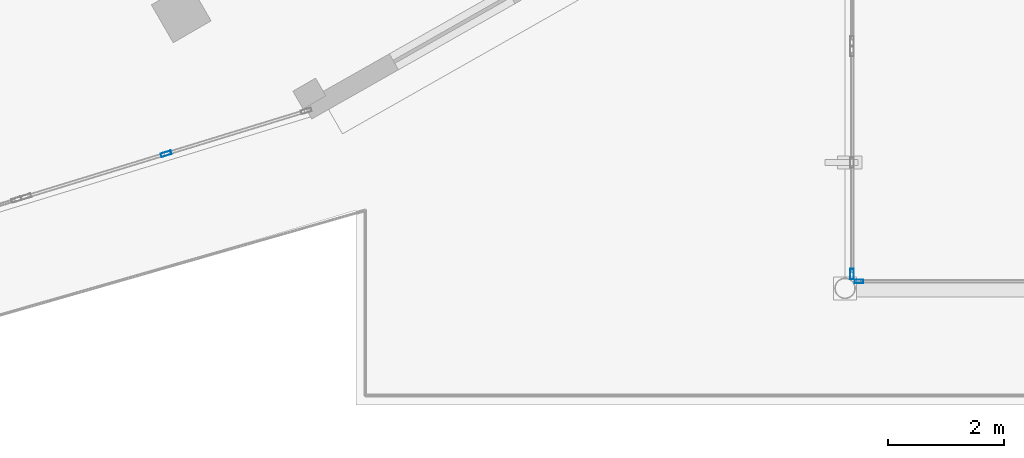
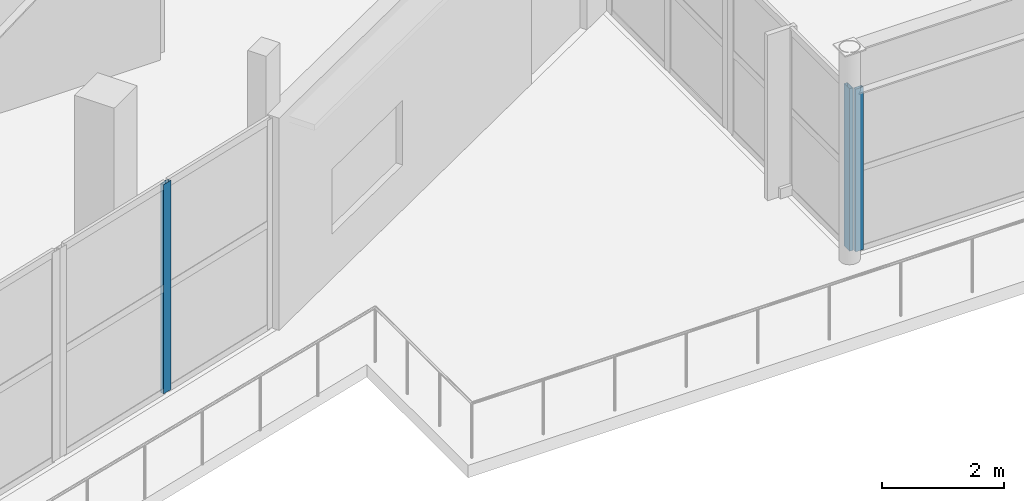
# One storey, part 57 of 123: 3 members, 3 elements without a shape of their own.
"""IFC4 building model written with IfcOpenShell, lengths in metres."""

from ifc_helpers import new_model, si_unit, direction, frame, origin, origin_2d, place, context, subcontext, project, spatial, hollow_rectangle, extrude, material, layer, layer_set, material_profile, profile_set, type_object, element, aggregate, save


model = new_model("IFC4")

# Units and contexts
model_context = context("Model", 3, precision=1e-05, world=origin(), true_north=direction((0.0, 1.0)))
body_context = subcontext(model_context, "Body", "Model", "MODEL_VIEW")
ifc_project = project(units=[si_unit("LENGTHUNIT", "METRE"), si_unit("AREAUNIT", "SQUARE_METRE"), si_unit("VOLUMEUNIT", "CUBIC_METRE"), si_unit("PLANEANGLEUNIT", "RADIAN"), si_unit("MASSUNIT", "GRAM", prefix="KILO")], contexts=[model_context])

# Site, building, storey
site_placement = place(None, origin())
site = spatial("IfcSite", under=ifc_project, at=site_placement, CompositionType="ELEMENT")
building_placement = place(site_placement, origin())
building = spatial("IfcBuilding", under=site, at=building_placement, Name="Kalgoora Escarpment Arena", CompositionType="ELEMENT")
storey_placement = place(building_placement, frame((0.0, 0.0, 9.89990234375)))
storey = spatial("IfcBuildingStorey", under=building, at=storey_placement, Name="L02", CompositionType="ELEMENT", Elevation=9.89990234375)

# Curtain wall, member
ifc_material_1 = material(Name=" Champagne anodised aluminium & double-glazed low-E", Category="aluminium")
ifc_layer_1 = layer(ifc_material_1, 0.162109375)
ifc_layer_set_1 = layer_set([ifc_layer_1], Name="CW-UNIT-18")
curtain_wall_type_1 = type_object("IfcCurtainWallType", Name="CW-UNIT-18", PredefinedType="NOTDEFINED", material=ifc_layer_set_1)
curtain_wall_1_placement = place(storey_placement, origin())
curtain_wall_1 = element("IfcCurtainWall", 1, at=curtain_wall_1_placement, inside=storey, type_object=curtain_wall_type_1, Name="L02 unitised facade curtain wall 097", PredefinedType="NOTDEFINED")
ifc_material_2 = material(Name="Anodised aluminium 6063-T6", Category="aluminium")
ifc_material_profile_1 = material_profile(ifc_material_2, hollow_rectangle(XDim=0.06005859375, YDim=0.14990234375, WallThickness=0.00341796875, at=origin_2d()))
ifc_profile_set_1 = profile_set([ifc_material_profile_1], Name="Anodised aluminium 6063-T6")
member_type_1 = type_object("IfcMemberType", Name="MEM-CW-MULL-150", PredefinedType="MULLION", material=ifc_profile_set_1)
member_1_placement = place(storey_placement, frame((143.040771484375, 8.1201171875, 0.02001953125), z_axis=(0.0, 0.0, 1.0), x_axis=(0.0, -1.0, 0.0)))
member_1 = element("IfcMember", 2, at=member_1_placement, type_object=member_type_1, Name="CW-18 mullion 2", PredefinedType="MULLION", context=body_context, shape_type="SweptSolid", body=[
    extrude(hollow_rectangle(XDim=0.06005859375, YDim=0.14990234375, WallThickness=0.00341796875, at=origin_2d()), origin(), (0.0, 0.0, 1.0), 3.26513671875),
])
aggregate(curtain_wall_1, [member_1])

ifc_material_3 = material(Name=" Champagne anodised aluminium & double-glazed low-E", Category="aluminium")
ifc_layer_2 = layer(ifc_material_3, 0.157958984375)
ifc_layer_set_2 = layer_set([ifc_layer_2], Name="CW-UNIT-02")
curtain_wall_type_2 = type_object("IfcCurtainWallType", Name="CW-UNIT-02", PredefinedType="NOTDEFINED", material=ifc_layer_set_2)
curtain_wall_2_placement = place(storey_placement, origin())
curtain_wall_2 = element("IfcCurtainWall", 3, at=curtain_wall_2_placement, inside=storey, type_object=curtain_wall_type_2, Name="L02 unitised facade curtain wall 041", PredefinedType="NOTDEFINED")
ifc_material_4 = material(Name="Anodised aluminium 6063-T6", Category="aluminium")
ifc_material_profile_2 = material_profile(ifc_material_4, hollow_rectangle(XDim=0.06494140625, YDim=0.179931640625, WallThickness=0.00390625, at=origin_2d()))
ifc_profile_set_2 = profile_set([ifc_material_profile_2], Name="Anodised aluminium 6063-T6")
member_type_2 = type_object("IfcMemberType", Name="MEM-CW-MULL-180", PredefinedType="MULLION", material=ifc_profile_set_2)
member_2_placement = place(storey_placement, frame((142.919921875, 8.243408203125, 0.02001953125), z_axis=(0.0, 0.0, 1.0), x_axis=(-1.0, 0.0, 0.0)))
member_2 = element("IfcMember", 4, at=member_2_placement, type_object=member_type_2, Name="CW-02 mullion 1", PredefinedType="MULLION", context=body_context, shape_type="SweptSolid", body=[
    extrude(hollow_rectangle(XDim=0.06494140625, YDim=0.179931640625, WallThickness=0.00390625, at=origin_2d()), origin(), (0.0, 0.0, 1.0), 3.26513671875),
])
aggregate(curtain_wall_2, [member_2])

ifc_material_5 = material(Name=" Champagne anodised aluminium & double-glazed low-E", Category="aluminium")
ifc_layer_3 = layer(ifc_material_5, 0.166015625)
ifc_layer_set_3 = layer_set([ifc_layer_3], Name="CW-UNIT-04")
curtain_wall_type_3 = type_object("IfcCurtainWallType", Name="CW-UNIT-04", PredefinedType="NOTDEFINED", material=ifc_layer_set_3)
curtain_wall_3_placement = place(storey_placement, origin())
curtain_wall_3 = element("IfcCurtainWall", 5, at=curtain_wall_3_placement, inside=storey, type_object=curtain_wall_type_3, Name="L02 unitised facade curtain wall 043", PredefinedType="NOTDEFINED")
member_3_placement = place(storey_placement, frame((131.140625, 10.310546875, 0.02001953125), z_axis=(0.0, 0.0, 1.0), x_axis=(0.29274500326, -0.956190547467, 0.0)))
member_3 = element("IfcMember", 6, at=member_3_placement, type_object=member_type_2, Name="CW-04 mullion 2", PredefinedType="MULLION", context=body_context, shape_type="SweptSolid", body=[
    extrude(hollow_rectangle(XDim=0.06494140625, YDim=0.179931640625, WallThickness=0.00390625, at=origin_2d()), origin(), (0.0, 0.0, 1.0), 4.205078125),
])
aggregate(curtain_wall_3, [member_3])

save(model, "model.ifc")
